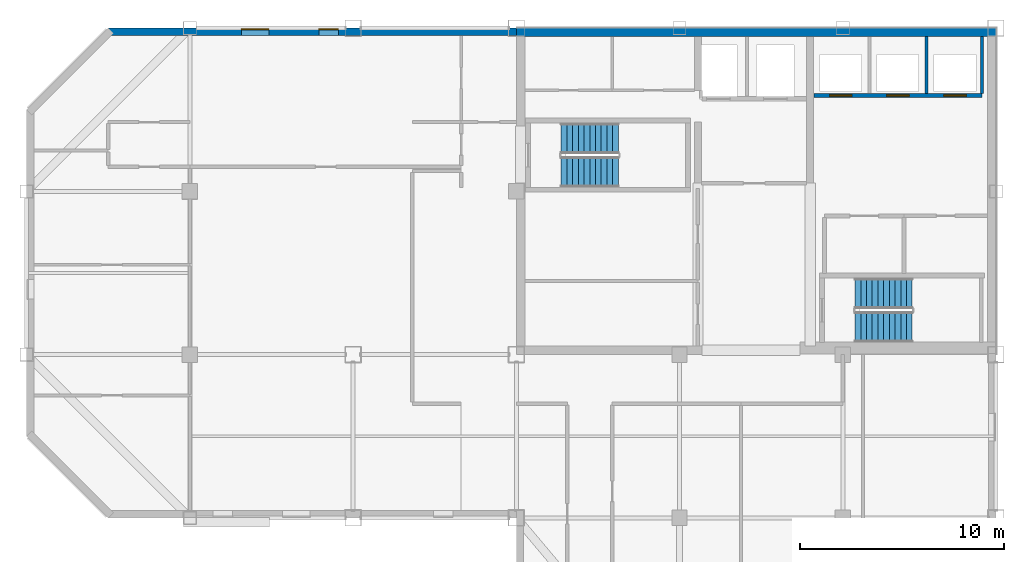
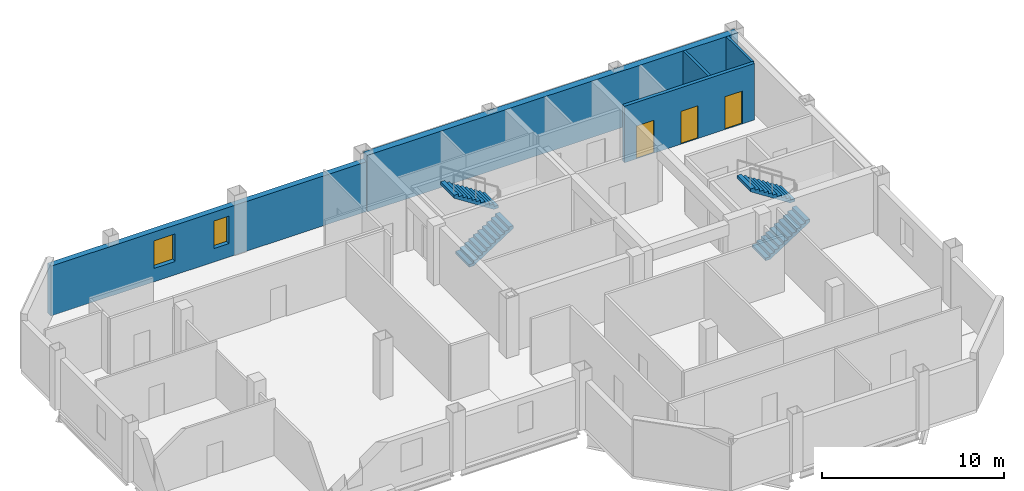
# One storey, part 4 of 7: 5 walls, 4 stair flights, 3 doors, 2 windows, 5 openings, 2 elements without a shape of their own.
"""IFC4 building model written with IfcOpenShell, lengths in metres."""

from ifc_helpers import new_model, si_unit, direction, frame, frame_2d, origin, place, context, subcontext, project, spatial, polyline, rectangle, outline, extrude, material, layer, layer_set, type_object, element, fill, aggregate, save


model = new_model("IFC4")

# Units and contexts
model_context = context("Model", 3, precision=1e-05, world=origin(), true_north=direction((0.0, 1.0)))
body_context = subcontext(model_context, "Body", "Model", "MODEL_VIEW")
ifc_project = project(units=[si_unit("LENGTHUNIT", "METRE"), si_unit("AREAUNIT", "SQUARE_METRE"), si_unit("VOLUMEUNIT", "CUBIC_METRE"), si_unit("PLANEANGLEUNIT", "RADIAN"), si_unit("MASSUNIT", "GRAM", prefix="KILO")], contexts=[model_context])

# Site, building, storey
site_placement = place(None, origin())
site = spatial("IfcSite", under=ifc_project, at=site_placement, CompositionType="ELEMENT")
building_placement = place(site_placement, origin())
building = spatial("IfcBuilding", under=site, at=building_placement, Name="Qianrong Seaharbour Tower", CompositionType="ELEMENT")
storey_placement = place(building_placement, frame((0.0, 0.0, 331.199951171875)))
storey = spatial("IfcBuildingStorey", under=building, at=storey_placement, Name="L80", CompositionType="ELEMENT", Elevation=331.199951171875)

# Wall
ifc_material_1 = material(Name="Concrete C50/60", Category="concrete")
ifc_layer_1 = layer(ifc_material_1, 0.419921875)
ifc_layer_set_1 = layer_set([ifc_layer_1], Name="Concrete C50/60")
wall_type_1 = type_object("IfcWallType", Name="WALL-CORE-420", PredefinedType="SHEAR", material=ifc_layer_set_1)
wall_1_placement = place(storey_placement, frame((40.5, 51.7900390625, 0.0), z_axis=(0.0, 0.0, 1.0), x_axis=(1.0, 0.0, 0.0)))
element("IfcWall", 1, at=wall_1_placement, inside=storey, type_object=wall_type_1, Name="L80 North Core Shear Wall", PredefinedType="SHEAR", context=body_context, shape_type="SweptSolid", body=[
    extrude(rectangle(XDim=23.5, YDim=0.419921875, at=frame_2d((11.75, 0.0))), origin(), (0.0, 0.0, 1.0), 3.78515625),
])

# Wall, openings, windows
ifc_material_2 = material(Name="Unitised red brick on Precast concrete C45/55", Category="masonry")
ifc_layer_2 = layer(ifc_material_2, 0.360107421875)
ifc_layer_set_2 = layer_set([ifc_layer_2], Name="Unitised red brick on Precast concrete C45/55")
wall_type_2 = type_object("IfcWallType", Name="WALL-EXT-BRICK-RED-360", PredefinedType="SOLIDWALL", material=ifc_layer_set_2)
wall_2_placement = place(storey_placement, frame((20.5, 51.820068359375, 0.0), z_axis=(0.0, 0.0, 1.0), x_axis=(1.0, 0.0, 0.0)))
wall_2 = element("IfcWall", 2, at=wall_2_placement, inside=storey, type_object=wall_type_2, Name="L80 Exterior Masonry Facade Wall NORTH_WING", PredefinedType="SOLIDWALL", context=body_context, shape_type="SweptSolid", body=[
    extrude(rectangle(XDim=20.02001953125, YDim=0.360107421875, at=frame_2d((10.010009765625, 0.0))), origin(), (0.0, 0.0, 1.0), 3.3349609375),
])
opening_1_placement = place(wall_2_placement, frame((6.52490234375, 0.0, 0.89990234375)))
opening_1 = element("IfcOpeningElement", 3, at=opening_1_placement, cuts=wall_2, Name="Opening WN-02", PredefinedType="OPENING", context=body_context, shape_type="SweptSolid", body=[
    extrude(rectangle(XDim=1.35009765625, YDim=1.85009765625, at=frame_2d((0.675048828125, 0.925048828125))), frame((0.0, 0.18994140625, 0.0), z_axis=(0.0, -1.0, 0.0), x_axis=(1.0, 0.0, 0.0)), (0.0, 0.0, 1.0), 0.380126953125),
])
opening_2_placement = place(wall_2_placement, frame((10.324951171875, 0.0, 0.89990234375)))
opening_2 = element("IfcOpeningElement", 4, at=opening_2_placement, cuts=wall_2, Name="Opening WN-13", PredefinedType="OPENING", context=body_context, shape_type="SweptSolid", body=[
    extrude(rectangle(XDim=0.949951171875, YDim=1.85009765625, at=frame_2d((0.47509765625, 0.925048828125))), frame((0.0, 0.18994140625, 0.0), z_axis=(0.0, -1.0, 0.0), x_axis=(1.0, 0.0, 0.0)), (0.0, 0.0, 1.0), 0.380126953125),
])
ifc_material_3 = material(Name="Insulated low-e double glazing in thermally broken aluminium 6063-T6 frame", Category="aluminium")
window_type_1 = type_object("IfcWindowType", Name="WIN-NARROW-950x1850", PartitioningType="SINGLE_PANEL", PredefinedType="WINDOW", material=ifc_material_3)
window_1_placement = place(opening_2_placement, origin())
window_1 = element("IfcWindow", 5, at=window_1_placement, inside=storey, type_object=window_type_1, Name="L80 Deep-Set Punched Window 05.03", OverallHeight=1.85009765625, OverallWidth=0.949951171875, PartitioningType="SINGLE_PANEL", PredefinedType="WINDOW", context=body_context, shape_type="SweptSolid", body=[
    extrude(rectangle(XDim=0.949951171875, YDim=1.85009765625, at=frame_2d((0.47509765625, 0.925048828125))), frame((0.0, 0.150146484375, 0.0), z_axis=(0.0, -1.0, 0.0), x_axis=(1.0, 0.0, 0.0)), (0.0, 0.0, 1.0), 0.06005859375),
])
fill(opening_2, window_1)
window_type_2 = type_object("IfcWindowType", Name="WIN-PUNCH-1350x1850", PartitioningType="DOUBLE_PANEL_VERTICAL", PredefinedType="WINDOW", material=ifc_material_3)
window_2_placement = place(opening_1_placement, origin())
window_2 = element("IfcWindow", 6, at=window_2_placement, inside=storey, type_object=window_type_2, Name="L80 Deep-Set Punched Window 05.02", OverallHeight=1.85009765625, OverallWidth=1.35009765625, PartitioningType="DOUBLE_PANEL_VERTICAL", PredefinedType="WINDOW", context=body_context, shape_type="SweptSolid", body=[
    extrude(rectangle(XDim=1.35009765625, YDim=1.85009765625, at=frame_2d((0.675048828125, 0.925048828125))), frame((0.0, 0.150146484375, 0.0), z_axis=(0.0, -1.0, 0.0), x_axis=(1.0, 0.0, 0.0)), (0.0, 0.0, 1.0), 0.06005859375),
])
fill(opening_1, window_2)

# Walls
ifc_material_4 = material(Name="Fire-rated gypsum board on steel studs", Category="steel")
ifc_layer_3 = layer(ifc_material_4, 0.14990234375)
ifc_layer_set_3 = layer_set([ifc_layer_3], Name="Fire-rated gypsum board on steel studs")
wall_type_3 = type_object("IfcWallType", Name="WALL-SHAFT-DIV-150", PredefinedType="PARTITIONING", material=ifc_layer_set_3)
for number, where, z_axis, x_axis, name in (
    (7, (60.60009765625, 48.81005859375, 0.0), (0.0, 0.0, 1.0), (0.0, 1.0, 0.0), "L80 P4 Lift Hoistway Divider 3"),
    (8, (63.320068359375, 48.81005859375, 0.0), (0.0, 0.0, 1.0), (0.0, 1.0, 0.0), "L80 P4 Lift Hoistway Divider 4"),
):
    element("IfcWall", number, at=place(storey_placement, frame(where, z_axis=z_axis, x_axis=x_axis)), inside=storey, type_object=wall_type_3, Name=name, PredefinedType="PARTITIONING", context=body_context, shape_type="SweptSolid", body=[
        extrude(rectangle(XDim=2.77001953125, YDim=0.14990234375, at=frame_2d((1.385009765625, 0.0))), origin(), (0.0, 0.0, 1.0), 3.78515625),
    ])

# Wall, openings, doors
ifc_layer_4 = layer(ifc_material_4, 0.219970703125)
ifc_layer_set_4 = layer_set([ifc_layer_4], Name="Fire-rated gypsum board on steel studs")
wall_type_4 = type_object("IfcWallType", Name="WALL-SHAFT-GYP220", PredefinedType="PARTITIONING", material=ifc_layer_set_4)
wall_3_placement = place(storey_placement, frame((63.320068359375, 48.699951171875, 0.0), z_axis=(0.0, 0.0, 1.0), x_axis=(-1.0, 0.0, 0.0)))
wall_3 = element("IfcWall", 9, at=wall_3_placement, inside=storey, type_object=wall_type_4, Name="L80 P4 Lift Hoistway Front Wall", PredefinedType="PARTITIONING", context=body_context, shape_type="SweptSolid", body=[
    extrude(rectangle(XDim=8.239990234375, YDim=0.219970703125, at=frame_2d((4.1201171875, 0.0))), origin(), (0.0, 0.0, 1.0), 3.78515625),
])
opening_3_placement = place(wall_3_placement, frame((6.3701171875, 0.0, 0.0)))
opening_3 = element("IfcOpeningElement", 10, at=opening_3_placement, cuts=wall_3, Name="Opening LD-02", PredefinedType="OPENING", context=body_context, shape_type="SweptSolid", body=[
    extrude(rectangle(XDim=1.10009765625, YDim=2.199951171875, at=frame_2d((0.550048828125, 1.10009765625))), frame((0.0, 0.1201171875, 0.0), z_axis=(0.0, -1.0, 0.0), x_axis=(1.0, 0.0, 0.0)), (0.0, 0.0, 1.0), 0.239990234375),
])
opening_4_placement = place(wall_3_placement, frame((3.570068359375, 0.0, 0.0)))
opening_4 = element("IfcOpeningElement", 11, at=opening_4_placement, cuts=wall_3, Name="Opening LD-02", PredefinedType="OPENING", context=body_context, shape_type="SweptSolid", body=[
    extrude(rectangle(XDim=1.10009765625, YDim=2.199951171875, at=frame_2d((0.550048828125, 1.10009765625))), frame((0.0, 0.1201171875, 0.0), z_axis=(0.0, -1.0, 0.0), x_axis=(1.0, 0.0, 0.0)), (0.0, 0.0, 1.0), 0.239990234375),
])
opening_5_placement = place(wall_3_placement, frame((0.77001953125, 0.0, 0.0)))
opening_5 = element("IfcOpeningElement", 12, at=opening_5_placement, cuts=wall_3, Name="Opening LD-02", PredefinedType="OPENING", context=body_context, shape_type="SweptSolid", body=[
    extrude(rectangle(XDim=1.10009765625, YDim=2.199951171875, at=frame_2d((0.550048828125, 1.10009765625))), frame((0.0, 0.1201171875, 0.0), z_axis=(0.0, -1.0, 0.0), x_axis=(1.0, 0.0, 0.0)), (0.0, 0.0, 1.0), 0.239990234375),
])
ifc_material_5 = material(Name="Stainless steel SUS316L bi-parting lift landing door", Category="steel")
door_type = type_object("IfcDoorType", Name="DOOR-LIFT-PASS-1100x2200", OperationType="DOUBLE_DOOR_SLIDING", PredefinedType="DOOR", material=ifc_material_5)
door_1_placement = place(opening_3_placement, origin())
door_1 = element("IfcDoor", 13, at=door_1_placement, inside=storey, type_object=door_type, Name="L80 PL-4A Lift Landing Door", OperationType="DOUBLE_DOOR_SLIDING", OverallHeight=2.199951171875, OverallWidth=1.10009765625, PredefinedType="DOOR", context=body_context, shape_type="SweptSolid", body=[
    extrude(rectangle(XDim=1.10009765625, YDim=2.199951171875, at=frame_2d((0.550048828125, 1.10009765625))), frame((0.0, 0.02490234375, 0.0), z_axis=(0.0, -1.0, 0.0), x_axis=(1.0, 0.0, 0.0)), (0.0, 0.0, 1.0), 0.050048828125),
])
fill(opening_3, door_1)
door_2_placement = place(opening_4_placement, origin())
door_2 = element("IfcDoor", 14, at=door_2_placement, inside=storey, type_object=door_type, Name="L80 PL-4B Lift Landing Door", OperationType="DOUBLE_DOOR_SLIDING", OverallHeight=2.199951171875, OverallWidth=1.10009765625, PredefinedType="DOOR", context=body_context, shape_type="SweptSolid", body=[
    extrude(rectangle(XDim=1.10009765625, YDim=2.199951171875, at=frame_2d((0.550048828125, 1.10009765625))), frame((0.0, 0.02490234375, 0.0), z_axis=(0.0, -1.0, 0.0), x_axis=(1.0, 0.0, 0.0)), (0.0, 0.0, 1.0), 0.050048828125),
])
fill(opening_4, door_2)
door_3_placement = place(opening_5_placement, origin())
door_3 = element("IfcDoor", 15, at=door_3_placement, inside=storey, type_object=door_type, Name="L80 PL-4C Lift Landing Door", OperationType="DOUBLE_DOOR_SLIDING", OverallHeight=2.199951171875, OverallWidth=1.10009765625, PredefinedType="DOOR", context=body_context, shape_type="SweptSolid", body=[
    extrude(rectangle(XDim=1.10009765625, YDim=2.199951171875, at=frame_2d((0.550048828125, 1.10009765625))), frame((0.0, 0.02490234375, 0.0), z_axis=(0.0, -1.0, 0.0), x_axis=(1.0, 0.0, 0.0)), (0.0, 0.0, 1.0), 0.050048828125),
])
fill(opening_5, door_3)

# Stair, stair flights
stair_type = type_object("IfcStairType", Name="STAIR-DOGLEG-1500-R22", PredefinedType="HALF_TURN_STAIR", material=ifc_material_1)
stair_1_placement = place(storey_placement, origin())
stair_1 = element("IfcStair", 16, at=stair_1_placement, inside=storey, type_object=stair_type, Name="L80 Protected Escape Stair ST-1", PredefinedType="HALF_TURN_STAIR")
stair_flight_type = type_object("IfcStairFlightType", Name="FLIGHT-STR-1500-R22", PredefinedType="STRAIGHT", material=ifc_material_1)
stair_flight_1_placement = place(storey_placement, frame((42.699951171875, 44.949951171875, 0.0), z_axis=(0.0, 0.0, 1.0), x_axis=(1.0, 0.0, 0.0)))
stair_flight_1 = element("IfcStairFlight", 17, at=stair_flight_1_placement, type_object=stair_flight_type, Name="ST-1 flight 1", NumberOfRisers=11, NumberOfTreads=10, PredefinedType="STRAIGHT", RiserHeight=0.181818182, TreadLength=0.28, context=body_context, shape_type="SweptSolid", body=[
    extrude(outline(polyline([(0.0, 0.0), (0.0, 0.181884765625), (0.280029296875, 0.181884765625), (0.280029296875, 0.363525390625), (0.56005859375, 0.363525390625), (0.56005859375, 0.54541015625), (0.840087890625, 0.54541015625), (0.840087890625, 0.727294921875), (1.1201171875, 0.727294921875), (1.1201171875, 0.9091796875), (1.39990234375, 0.9091796875), (1.39990234375, 1.0908203125), (1.679931640625, 1.0908203125), (1.679931640625, 1.272705078125), (1.9599609375, 1.272705078125), (1.9599609375, 1.45458984375), (2.239990234375, 1.45458984375), (2.239990234375, 1.636474609375), (2.52001953125, 1.636474609375), (2.52001953125, 1.818115234375), (2.800048828125, 1.818115234375), (2.800048828125, 2.0), (2.800048828125, 1.62744140625), (0.293701171875, 0.0), (0.0, 0.0)])), frame((0.0, 0.75, 0.0), z_axis=(0.0, -1.0, 0.0), x_axis=(1.0, 0.0, 0.0)), (0.0, 0.0, 1.0), 1.5),
])
stair_flight_2_placement = place(storey_placement, frame((45.5, 46.60009765625, 2.0), z_axis=(0.0, 0.0, 1.0), x_axis=(-1.0, 0.0, 0.0)))
stair_flight_2 = element("IfcStairFlight", 18, at=stair_flight_2_placement, type_object=stair_flight_type, Name="ST-1 flight 2", NumberOfRisers=11, NumberOfTreads=10, PredefinedType="STRAIGHT", RiserHeight=0.181818182, TreadLength=0.28, context=body_context, shape_type="SweptSolid", body=[
    extrude(outline(polyline([(0.0, 0.0), (0.0, 0.181884765625), (0.280029296875, 0.181884765625), (0.280029296875, 0.363525390625), (0.56005859375, 0.363525390625), (0.56005859375, 0.54541015625), (0.840087890625, 0.54541015625), (0.840087890625, 0.727294921875), (1.1201171875, 0.727294921875), (1.1201171875, 0.9091796875), (1.39990234375, 0.9091796875), (1.39990234375, 1.0908203125), (1.679931640625, 1.0908203125), (1.679931640625, 1.272705078125), (1.9599609375, 1.272705078125), (1.9599609375, 1.45458984375), (2.239990234375, 1.45458984375), (2.239990234375, 1.636474609375), (2.52001953125, 1.636474609375), (2.52001953125, 1.818115234375), (2.800048828125, 1.818115234375), (2.800048828125, 2.0), (2.800048828125, 1.62744140625), (0.293701171875, 0.0), (0.0, 0.0)])), frame((0.0, 0.75, 0.0), z_axis=(0.0, -1.0, 0.0), x_axis=(1.0, 0.0, 0.0)), (0.0, 0.0, 1.0), 1.5),
])
aggregate(stair_1, [stair_flight_1, stair_flight_2])

stair_2_placement = place(storey_placement, origin())
stair_2 = element("IfcStair", 19, at=stair_2_placement, inside=storey, type_object=stair_type, Name="L80 Protected Escape Stair ST-2", PredefinedType="HALF_TURN_STAIR")
stair_flight_3_placement = place(storey_placement, frame((57.10009765625, 37.35009765625, 0.0), z_axis=(0.0, 0.0, 1.0), x_axis=(1.0, 0.0, 0.0)))
stair_flight_3 = element("IfcStairFlight", 20, at=stair_flight_3_placement, type_object=stair_flight_type, Name="ST-2 flight 1", NumberOfRisers=11, NumberOfTreads=10, PredefinedType="STRAIGHT", RiserHeight=0.181818182, TreadLength=0.28, context=body_context, shape_type="SweptSolid", body=[
    extrude(outline(polyline([(0.0, 0.0), (0.0, 0.181884765625), (0.280029296875, 0.181884765625), (0.280029296875, 0.363525390625), (0.56005859375, 0.363525390625), (0.56005859375, 0.54541015625), (0.840087890625, 0.54541015625), (0.840087890625, 0.727294921875), (1.1201171875, 0.727294921875), (1.1201171875, 0.9091796875), (1.39990234375, 0.9091796875), (1.39990234375, 1.0908203125), (1.679931640625, 1.0908203125), (1.679931640625, 1.272705078125), (1.9599609375, 1.272705078125), (1.9599609375, 1.45458984375), (2.239990234375, 1.45458984375), (2.239990234375, 1.636474609375), (2.52001953125, 1.636474609375), (2.52001953125, 1.818115234375), (2.800048828125, 1.818115234375), (2.800048828125, 2.0), (2.800048828125, 1.62744140625), (0.293701171875, 0.0), (0.0, 0.0)])), frame((0.0, 0.75, 0.0), z_axis=(0.0, -1.0, 0.0), x_axis=(1.0, 0.0, 0.0)), (0.0, 0.0, 1.0), 1.5),
])
stair_flight_4_placement = place(storey_placement, frame((59.89990234375, 39.0, 2.0), z_axis=(0.0, 0.0, 1.0), x_axis=(-1.0, 0.0, 0.0)))
stair_flight_4 = element("IfcStairFlight", 21, at=stair_flight_4_placement, type_object=stair_flight_type, Name="ST-2 flight 2", NumberOfRisers=11, NumberOfTreads=10, PredefinedType="STRAIGHT", RiserHeight=0.181818182, TreadLength=0.28, context=body_context, shape_type="SweptSolid", body=[
    extrude(outline(polyline([(0.0, 0.0), (0.0, 0.181884765625), (0.280029296875, 0.181884765625), (0.280029296875, 0.363525390625), (0.56005859375, 0.363525390625), (0.56005859375, 0.54541015625), (0.840087890625, 0.54541015625), (0.840087890625, 0.727294921875), (1.1201171875, 0.727294921875), (1.1201171875, 0.9091796875), (1.39990234375, 0.9091796875), (1.39990234375, 1.0908203125), (1.679931640625, 1.0908203125), (1.679931640625, 1.272705078125), (1.9599609375, 1.272705078125), (1.9599609375, 1.45458984375), (2.239990234375, 1.45458984375), (2.239990234375, 1.636474609375), (2.52001953125, 1.636474609375), (2.52001953125, 1.818115234375), (2.800048828125, 1.818115234375), (2.800048828125, 2.0), (2.800048828125, 1.62744140625), (0.293701171875, 0.0), (0.0, 0.0)])), frame((0.0, 0.75, 0.0), z_axis=(0.0, -1.0, 0.0), x_axis=(1.0, 0.0, 0.0)), (0.0, 0.0, 1.0), 1.5),
])
aggregate(stair_2, [stair_flight_3, stair_flight_4])

save(model, "model.ifc")
